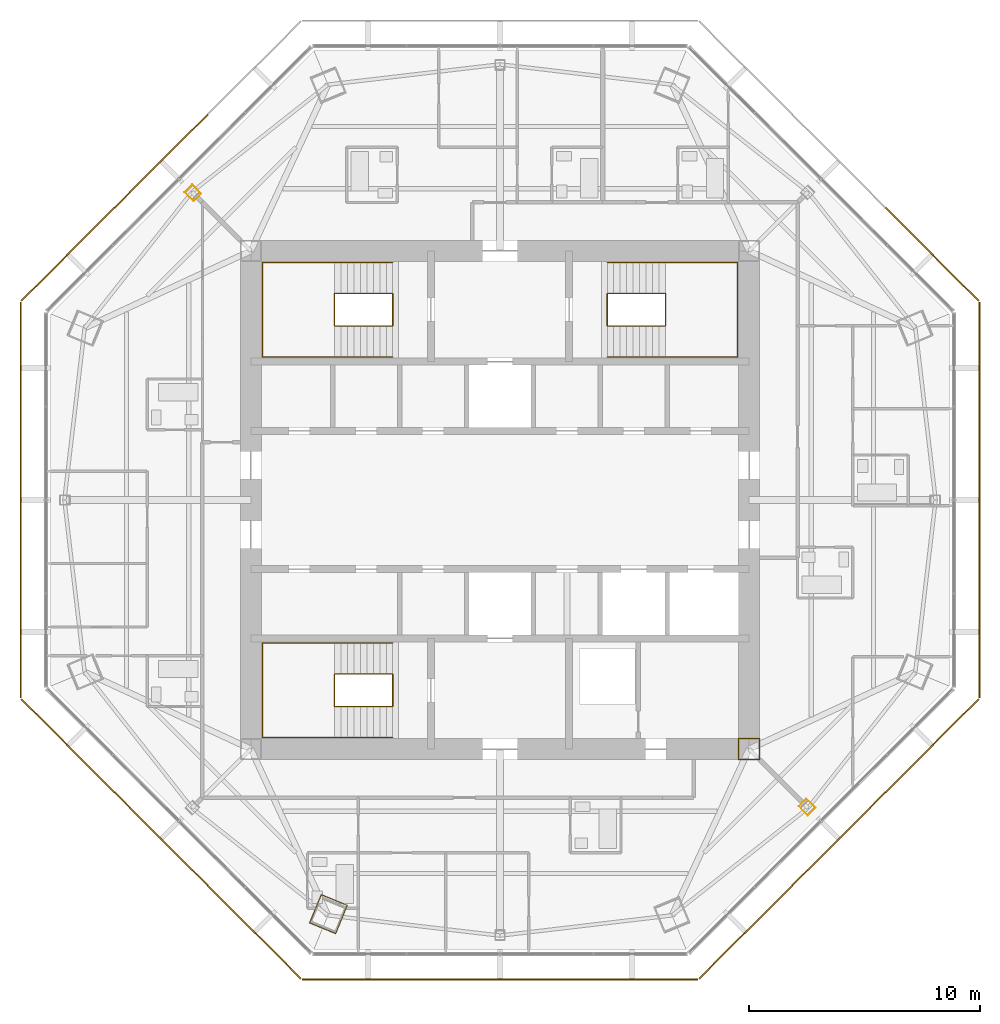
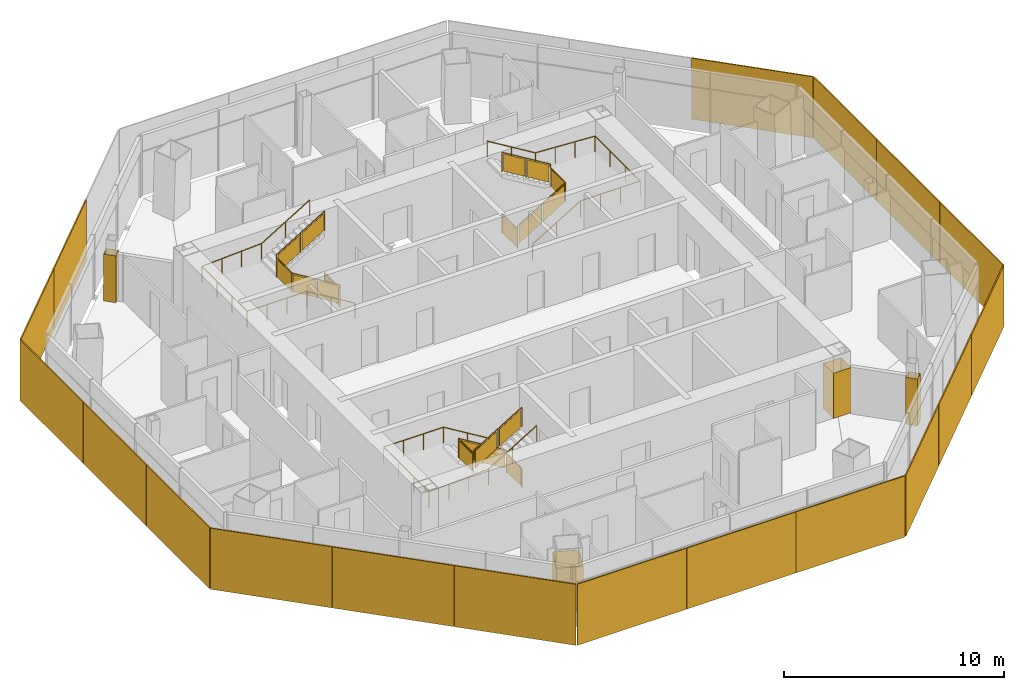
# One storey, part 13 of 15: 18 shading devices, 6 railings, 4 coverings.
"""IFC4 building model written with IfcOpenShell, lengths in metres."""

from ifc_helpers import new_model, si_unit, direction, frame, origin, origin_2d, place, context, subcontext, project, spatial, polyline, rectangle, circle, outline, extrude, source, transform, mapped, material, layer, layer_set, type_object, type_shapes, element, save


model = new_model("IFC4")

# Units and contexts
model_context = context("Model", 3, precision=1e-05, world=origin(), true_north=direction((0.0, 1.0)))
body_context = subcontext(model_context, "Body", "Model", "MODEL_VIEW")
ifc_project = project(units=[si_unit("LENGTHUNIT", "METRE"), si_unit("AREAUNIT", "SQUARE_METRE"), si_unit("VOLUMEUNIT", "CUBIC_METRE"), si_unit("PLANEANGLEUNIT", "RADIAN"), si_unit("MASSUNIT", "GRAM", prefix="KILO")], contexts=[model_context])

# Site, building, storey
site_placement = place(None, origin())
site = spatial("IfcSite", under=ifc_project, at=site_placement, CompositionType="ELEMENT")
building_placement = place(site_placement, origin())
building = spatial("IfcBuilding", under=site, at=building_placement, Name="Mashrafa Tower", CompositionType="ELEMENT")
storey_placement = place(building_placement, frame((0.0, 0.0, 294.60009765625)))
storey = spatial("IfcBuildingStorey", under=building, at=storey_placement, Name="L72", CompositionType="ELEMENT", Elevation=294.60009765625)

# Coverings
ifc_material_1 = material(Name="Gypsum board")
ifc_layer_1 = layer(ifc_material_1, 0.014892578125)
ifc_layer_set_1 = layer_set([ifc_layer_1], Name="Column casing plasterboard 15")
covering_type = type_object("IfcCoveringType", Name="Column casing plasterboard 15", PredefinedType="CLADDING", material=ifc_layer_set_1)
covering_1_placement = place(storey_placement, origin())
element("IfcCovering", 1, at=covering_1_placement, inside=storey, type_object=covering_type, Name="Column casing L72-001", PredefinedType="CLADDING", context=body_context, shape_type="SweptSolid", body=[
    extrude(outline(polyline([(-8.260498046875, -18.335693359375), (-8.215087890625, -18.225830078125), (-7.749755859375, -17.102783203125), (-6.613525390625, -17.573486328125), (-7.07861328125, -18.696533203125), (-7.124267578125, -18.806396484375), (-8.260498046875, -18.335693359375)]), holes=[polyline([(-7.092529296875, -18.690673828125), (-6.633056640625, -17.58154296875), (-7.74169921875, -17.122314453125), (-8.201171875, -18.2314453125), (-8.240966796875, -18.32763671875), (-7.13232421875, -18.786865234375), (-7.092529296875, -18.690673828125)])]), origin(), (0.0, 0.0, 1.0), 2.49658203125),
])
covering_2_placement = place(storey_placement, origin())
element("IfcCovering", 2, at=covering_2_placement, inside=storey, type_object=covering_type, Name="Column casing L72-002", PredefinedType="CLADDING", context=body_context, shape_type="SweptSolid", body=[
    extrude(outline(polyline([(-13.690185546875, 13.350830078125), (-13.350830078125, 13.690185546875), (-12.943359375, 13.28271484375), (-13.28271484375, 12.943359375), (-13.690185546875, 13.350830078125)]), holes=[polyline([(-12.964599609375, 13.28271484375), (-13.350830078125, 13.669189453125), (-13.669189453125, 13.350830078125), (-13.28271484375, 12.964599609375), (-12.964599609375, 13.28271484375)])]), origin(), (0.0, 0.0, 1.0), 2.590576171875),
])
covering_3_placement = place(storey_placement, origin())
element("IfcCovering", 3, at=covering_3_placement, inside=storey, type_object=covering_type, Name="Column casing L72-003", PredefinedType="CLADDING", context=body_context, shape_type="SweptSolid", body=[
    extrude(outline(polyline([(12.943359375, -13.28271484375), (13.28271484375, -12.943359375), (13.690185546875, -13.350830078125), (13.350830078125, -13.690185546875), (12.943359375, -13.28271484375)]), holes=[polyline([(13.669189453125, -13.350830078125), (13.28271484375, -12.964599609375), (12.964599609375, -13.28271484375), (13.350830078125, -13.669189453125), (13.669189453125, -13.350830078125)])]), origin(), (0.0, 0.0, 1.0), 2.590576171875),
])
covering_4_placement = place(storey_placement, origin())
element("IfcCovering", 4, at=covering_4_placement, inside=storey, type_object=covering_type, Name="Column casing L72-004", PredefinedType="CLADDING", context=body_context, shape_type="SweptSolid", body=[
    extrude(outline(polyline([(10.3349609375, -10.3349609375), (11.264892578125, -10.3349609375), (11.264892578125, -11.264892578125), (10.3349609375, -11.264892578125), (10.3349609375, -10.3349609375)]), holes=[polyline([(11.25, -11.25), (11.25, -10.35009765625), (10.35009765625, -10.35009765625), (10.35009765625, -11.25), (11.25, -11.25)])]), origin(), (0.0, 0.0, 1.0), 2.49658203125),
])

# Railings
ifc_material_2 = material(Name="Steel guard with glass infill", Category="steel")
railing_type_1 = type_object("IfcRailingType", Name="Stair guard 1100", PredefinedType="GUARDRAIL", material=ifc_material_2)
railing_1_placement = place(storey_placement, frame((-4.64990234375, 8.949951171875, 0.0)))
element("IfcRailing", 5, at=railing_1_placement, inside=storey, type_object=railing_type_1, Name="Stair S1 guard L72", PredefinedType="GUARDRAIL", context=body_context, shape_type="SweptSolid", body=[
    extrude(circle(Radius=0.02392578125, at=origin_2d()), frame((0.0, 0.0, 1.076171875), z_axis=(0.0, -1.0, 0.0), x_axis=(1.0, 0.0, 0.0)), (0.0, 0.0, 1.0), 1.39990234375),
    extrude(circle(Radius=0.02392578125, at=origin_2d()), frame((0.0, -1.39990234375, 1.076171875), z_axis=(0.0, 0.0, 1.0), x_axis=(1.0, 0.0, 0.0)), (0.0, 0.0, 1.0), 0.169921875),
    extrude(circle(Radius=0.02392578125, at=origin_2d()), frame((0.0, -1.39990234375, 1.24609375), z_axis=(-0.85478489116, 0.0, 0.518982456201), x_axis=(0.0, -1.0, 0.0)), (0.0, 0.0, 1.0), 2.9482421875),
    extrude(circle(Radius=0.02392578125, at=origin_2d()), frame((-2.52001953125, -1.39990234375, 2.77587890625), z_axis=(0.0, 1.0, 0.0), x_axis=(-1.0, 0.0, 0.0)), (0.0, 0.0, 1.0), 1.39990234375),
    extrude(circle(Radius=0.02392578125, at=origin_2d()), frame((-2.52001953125, 0.0, 2.77587890625), z_axis=(0.0, 0.0, 1.0), x_axis=(1.0, 0.0, 0.0)), (0.0, 0.0, 1.0), 0.169921875),
    extrude(circle(Radius=0.02392578125, at=origin_2d()), frame((-2.52001953125, 0.0, 2.94580078125), z_axis=(0.85478489116, 0.0, 0.518982456201), x_axis=(0.0, 1.0, 0.0)), (0.0, 0.0, 1.0), 2.9482421875),
    extrude(circle(Radius=0.02099609375, at=origin_2d()), origin(), (0.0, 0.0, 1.0), 1.052001953125),
    extrude(circle(Radius=0.02099609375, at=origin_2d()), frame((0.0, -1.39990234375, 0.0)), (0.0, 0.0, 1.0), 1.052001953125),
    extrude(circle(Radius=0.02099609375, at=origin_2d()), frame((0.0, -1.39990234375, 0.169921875)), (0.0, 0.0, 1.0), 1.052001953125),
    extrude(circle(Radius=0.02099609375, at=origin_2d()), frame((-1.260009765625, -1.39990234375, 0.93505859375)), (0.0, 0.0, 1.0), 1.052001953125),
    extrude(circle(Radius=0.02099609375, at=origin_2d()), frame((-2.52001953125, -1.39990234375, 1.699951171875)), (0.0, 0.0, 1.0), 1.052001953125),
    extrude(circle(Radius=0.02099609375, at=origin_2d()), frame((-2.52001953125, 0.0, 1.699951171875)), (0.0, 0.0, 1.0), 1.052001953125),
    extrude(circle(Radius=0.02099609375, at=origin_2d()), frame((-2.52001953125, 0.0, 1.869873046875)), (0.0, 0.0, 1.0), 1.052001953125),
    extrude(circle(Radius=0.02099609375, at=origin_2d()), frame((-1.260009765625, 0.0, 2.634765625)), (0.0, 0.0, 1.0), 1.052001953125),
    extrude(circle(Radius=0.02099609375, at=origin_2d()), frame((0.0, 0.0, 3.39990234375)), (0.0, 0.0, 1.0), 1.052001953125),
    extrude(outline(polyline([(0.071044921875, 0.050048828125), (1.328857421875, 0.050048828125), (1.328857421875, 1.001953125), (0.071044921875, 1.001953125), (0.071044921875, 0.050048828125)])), frame((-0.006103515625, 0.0, 0.0), z_axis=(-1.0, 0.0, 0.0), x_axis=(0.0, -1.0, 0.0)), (0.0, 0.0, 1.0), 0.011962890625),
    extrude(outline(polyline([(0.071044921875, 0.093017578125), (1.18896484375, 0.77197265625), (1.18896484375, 1.723876953125), (0.071044921875, 1.045166015625), (0.071044921875, 0.093017578125)])), frame((0.0, -1.393798828125, 0.169921875), z_axis=(0.0, 1.0, 0.0), x_axis=(-1.0, 0.0, 0.0)), (0.0, 0.0, 1.0), 0.011962890625),
    extrude(outline(polyline([(1.3310546875, 0.858154296875), (2.448974609375, 1.536865234375), (2.448974609375, 2.489013671875), (1.3310546875, 1.81005859375), (1.3310546875, 0.858154296875)])), frame((0.0, -1.393798828125, 0.169921875), z_axis=(0.0, 1.0, 0.0), x_axis=(-1.0, 0.0, 0.0)), (0.0, 0.0, 1.0), 0.011962890625),
    extrude(outline(polyline([(0.071044921875, 0.050048828125), (1.328857421875, 0.050048828125), (1.328857421875, 1.001953125), (0.071044921875, 1.001953125), (0.071044921875, 0.050048828125)])), frame((-2.513916015625, -1.39990234375, 1.699951171875), z_axis=(1.0, 0.0, 0.0), x_axis=(0.0, 1.0, 0.0)), (0.0, 0.0, 1.0), 0.011962890625),
    extrude(outline(polyline([(0.071044921875, 0.093017578125), (1.18896484375, 0.77197265625), (1.18896484375, 1.723876953125), (0.071044921875, 1.045166015625), (0.071044921875, 0.093017578125)])), frame((-2.52001953125, -0.006103515625, 1.869873046875), z_axis=(0.0, -1.0, 0.0), x_axis=(1.0, 0.0, 0.0)), (0.0, 0.0, 1.0), 0.011962890625),
    extrude(outline(polyline([(1.3310546875, 0.858154296875), (2.448974609375, 1.536865234375), (2.448974609375, 2.489013671875), (1.3310546875, 1.81005859375), (1.3310546875, 0.858154296875)])), frame((-2.52001953125, -0.006103515625, 1.869873046875), z_axis=(0.0, -1.0, 0.0), x_axis=(1.0, 0.0, 0.0)), (0.0, 0.0, 1.0), 0.011962890625),
])
railing_2_placement = place(storey_placement, frame((4.64990234375, 8.949951171875, 0.0)))
element("IfcRailing", 6, at=railing_2_placement, inside=storey, type_object=railing_type_1, Name="Stair S2 guard L72", PredefinedType="GUARDRAIL", context=body_context, shape_type="SweptSolid", body=[
    extrude(circle(Radius=0.02392578125, at=origin_2d()), frame((0.0, 0.0, 1.076171875), z_axis=(0.0, -1.0, 0.0), x_axis=(1.0, 0.0, 0.0)), (0.0, 0.0, 1.0), 1.39990234375),
    extrude(circle(Radius=0.02392578125, at=origin_2d()), frame((0.0, -1.39990234375, 1.076171875), z_axis=(0.0, 0.0, 1.0), x_axis=(1.0, 0.0, 0.0)), (0.0, 0.0, 1.0), 0.169921875),
    extrude(circle(Radius=0.02392578125, at=origin_2d()), frame((0.0, -1.39990234375, 1.24609375), z_axis=(0.85478489116, 0.0, 0.518982456201), x_axis=(0.0, 1.0, 0.0)), (0.0, 0.0, 1.0), 2.9482421875),
    extrude(circle(Radius=0.02392578125, at=origin_2d()), frame((2.52001953125, -1.39990234375, 2.77587890625), z_axis=(0.0, 1.0, 0.0), x_axis=(-1.0, 0.0, 0.0)), (0.0, 0.0, 1.0), 1.39990234375),
    extrude(circle(Radius=0.02392578125, at=origin_2d()), frame((2.52001953125, 0.0, 2.77587890625), z_axis=(0.0, 0.0, 1.0), x_axis=(1.0, 0.0, 0.0)), (0.0, 0.0, 1.0), 0.169921875),
    extrude(circle(Radius=0.02392578125, at=origin_2d()), frame((2.52001953125, 0.0, 2.94580078125), z_axis=(-0.85478489116, 0.0, 0.518982456201), x_axis=(0.0, -1.0, 0.0)), (0.0, 0.0, 1.0), 2.9482421875),
    extrude(circle(Radius=0.02099609375, at=origin_2d()), origin(), (0.0, 0.0, 1.0), 1.052001953125),
    extrude(circle(Radius=0.02099609375, at=origin_2d()), frame((0.0, -1.39990234375, 0.0)), (0.0, 0.0, 1.0), 1.052001953125),
    extrude(circle(Radius=0.02099609375, at=origin_2d()), frame((0.0, -1.39990234375, 0.169921875)), (0.0, 0.0, 1.0), 1.052001953125),
    extrude(circle(Radius=0.02099609375, at=origin_2d()), frame((1.260009765625, -1.39990234375, 0.93505859375)), (0.0, 0.0, 1.0), 1.052001953125),
    extrude(circle(Radius=0.02099609375, at=origin_2d()), frame((2.52001953125, -1.39990234375, 1.699951171875)), (0.0, 0.0, 1.0), 1.052001953125),
    extrude(circle(Radius=0.02099609375, at=origin_2d()), frame((2.52001953125, 0.0, 1.699951171875)), (0.0, 0.0, 1.0), 1.052001953125),
    extrude(circle(Radius=0.02099609375, at=origin_2d()), frame((2.52001953125, 0.0, 1.869873046875)), (0.0, 0.0, 1.0), 1.052001953125),
    extrude(circle(Radius=0.02099609375, at=origin_2d()), frame((1.260009765625, 0.0, 2.634765625)), (0.0, 0.0, 1.0), 1.052001953125),
    extrude(circle(Radius=0.02099609375, at=origin_2d()), frame((0.0, 0.0, 3.39990234375)), (0.0, 0.0, 1.0), 1.052001953125),
    extrude(outline(polyline([(0.071044921875, 0.050048828125), (1.328857421875, 0.050048828125), (1.328857421875, 1.001953125), (0.071044921875, 1.001953125), (0.071044921875, 0.050048828125)])), frame((-0.006103515625, 0.0, 0.0), z_axis=(-1.0, 0.0, 0.0), x_axis=(0.0, -1.0, 0.0)), (0.0, 0.0, 1.0), 0.011962890625),
    extrude(outline(polyline([(0.071044921875, 0.093017578125), (1.18896484375, 0.77197265625), (1.18896484375, 1.723876953125), (0.071044921875, 1.045166015625), (0.071044921875, 0.093017578125)])), frame((0.0, -1.406005859375, 0.169921875), z_axis=(0.0, -1.0, 0.0), x_axis=(1.0, 0.0, 0.0)), (0.0, 0.0, 1.0), 0.011962890625),
    extrude(outline(polyline([(1.3310546875, 0.858154296875), (2.448974609375, 1.536865234375), (2.448974609375, 2.489013671875), (1.3310546875, 1.81005859375), (1.3310546875, 0.858154296875)])), frame((0.0, -1.406005859375, 0.169921875), z_axis=(0.0, -1.0, 0.0), x_axis=(1.0, 0.0, 0.0)), (0.0, 0.0, 1.0), 0.011962890625),
    extrude(outline(polyline([(0.071044921875, 0.050048828125), (1.328857421875, 0.050048828125), (1.328857421875, 1.001953125), (0.071044921875, 1.001953125), (0.071044921875, 0.050048828125)])), frame((2.526123046875, -1.39990234375, 1.699951171875), z_axis=(1.0, 0.0, 0.0), x_axis=(0.0, 1.0, 0.0)), (0.0, 0.0, 1.0), 0.011962890625),
    extrude(outline(polyline([(0.071044921875, 0.093017578125), (1.18896484375, 0.77197265625), (1.18896484375, 1.723876953125), (0.071044921875, 1.045166015625), (0.071044921875, 0.093017578125)])), frame((2.52001953125, 0.006103515625, 1.869873046875), z_axis=(0.0, 1.0, 0.0), x_axis=(-1.0, 0.0, 0.0)), (0.0, 0.0, 1.0), 0.011962890625),
    extrude(outline(polyline([(1.3310546875, 0.858154296875), (2.448974609375, 1.536865234375), (2.448974609375, 2.489013671875), (1.3310546875, 1.81005859375), (1.3310546875, 0.858154296875)])), frame((2.52001953125, 0.006103515625, 1.869873046875), z_axis=(0.0, 1.0, 0.0), x_axis=(-1.0, 0.0, 0.0)), (0.0, 0.0, 1.0), 0.011962890625),
])
railing_3_placement = place(storey_placement, frame((-4.64990234375, -8.949951171875, 0.0)))
element("IfcRailing", 7, at=railing_3_placement, inside=storey, type_object=railing_type_1, Name="Stair S3 guard L72", PredefinedType="GUARDRAIL", context=body_context, shape_type="SweptSolid", body=[
    extrude(circle(Radius=0.02392578125, at=origin_2d()), frame((0.0, 0.0, 1.076171875), z_axis=(0.0, 1.0, 0.0), x_axis=(-1.0, 0.0, 0.0)), (0.0, 0.0, 1.0), 1.39990234375),
    extrude(circle(Radius=0.02392578125, at=origin_2d()), frame((0.0, 1.39990234375, 1.076171875), z_axis=(0.0, 0.0, 1.0), x_axis=(1.0, 0.0, 0.0)), (0.0, 0.0, 1.0), 0.169921875),
    extrude(circle(Radius=0.02392578125, at=origin_2d()), frame((0.0, 1.39990234375, 1.24609375), z_axis=(-0.85478489116, 0.0, 0.518982456201), x_axis=(0.0, -1.0, 0.0)), (0.0, 0.0, 1.0), 2.9482421875),
    extrude(circle(Radius=0.02392578125, at=origin_2d()), frame((-2.52001953125, 1.39990234375, 2.77587890625), z_axis=(0.0, -1.0, 0.0), x_axis=(1.0, 0.0, 0.0)), (0.0, 0.0, 1.0), 1.39990234375),
    extrude(circle(Radius=0.02392578125, at=origin_2d()), frame((-2.52001953125, 0.0, 2.77587890625), z_axis=(0.0, 0.0, 1.0), x_axis=(1.0, 0.0, 0.0)), (0.0, 0.0, 1.0), 0.169921875),
    extrude(circle(Radius=0.02392578125, at=origin_2d()), frame((-2.52001953125, 0.0, 2.94580078125), z_axis=(0.85478489116, 0.0, 0.518982456201), x_axis=(0.0, 1.0, 0.0)), (0.0, 0.0, 1.0), 2.9482421875),
    extrude(circle(Radius=0.02099609375, at=origin_2d()), origin(), (0.0, 0.0, 1.0), 1.052001953125),
    extrude(circle(Radius=0.02099609375, at=origin_2d()), frame((0.0, 1.39990234375, 0.0)), (0.0, 0.0, 1.0), 1.052001953125),
    extrude(circle(Radius=0.02099609375, at=origin_2d()), frame((0.0, 1.39990234375, 0.169921875)), (0.0, 0.0, 1.0), 1.052001953125),
    extrude(circle(Radius=0.02099609375, at=origin_2d()), frame((-1.260009765625, 1.39990234375, 0.93505859375)), (0.0, 0.0, 1.0), 1.052001953125),
    extrude(circle(Radius=0.02099609375, at=origin_2d()), frame((-2.52001953125, 1.39990234375, 1.699951171875)), (0.0, 0.0, 1.0), 1.052001953125),
    extrude(circle(Radius=0.02099609375, at=origin_2d()), frame((-2.52001953125, 0.0, 1.699951171875)), (0.0, 0.0, 1.0), 1.052001953125),
    extrude(circle(Radius=0.02099609375, at=origin_2d()), frame((-2.52001953125, 0.0, 1.869873046875)), (0.0, 0.0, 1.0), 1.052001953125),
    extrude(circle(Radius=0.02099609375, at=origin_2d()), frame((-1.260009765625, 0.0, 2.634765625)), (0.0, 0.0, 1.0), 1.052001953125),
    extrude(circle(Radius=0.02099609375, at=origin_2d()), frame((0.0, 0.0, 3.39990234375)), (0.0, 0.0, 1.0), 1.052001953125),
    extrude(outline(polyline([(0.071044921875, 0.050048828125), (1.328857421875, 0.050048828125), (1.328857421875, 1.001953125), (0.071044921875, 1.001953125), (0.071044921875, 0.050048828125)])), frame((0.006103515625, 0.0, 0.0), z_axis=(1.0, 0.0, 0.0), x_axis=(0.0, 1.0, 0.0)), (0.0, 0.0, 1.0), 0.011962890625),
    extrude(outline(polyline([(0.071044921875, 0.093017578125), (1.18896484375, 0.77197265625), (1.18896484375, 1.723876953125), (0.071044921875, 1.045166015625), (0.071044921875, 0.093017578125)])), frame((0.0, 1.406005859375, 0.169921875), z_axis=(0.0, 1.0, 0.0), x_axis=(-1.0, 0.0, 0.0)), (0.0, 0.0, 1.0), 0.011962890625),
    extrude(outline(polyline([(1.3310546875, 0.858154296875), (2.448974609375, 1.536865234375), (2.448974609375, 2.489013671875), (1.3310546875, 1.81005859375), (1.3310546875, 0.858154296875)])), frame((0.0, 1.406005859375, 0.169921875), z_axis=(0.0, 1.0, 0.0), x_axis=(-1.0, 0.0, 0.0)), (0.0, 0.0, 1.0), 0.011962890625),
    extrude(outline(polyline([(0.071044921875, 0.050048828125), (1.328857421875, 0.050048828125), (1.328857421875, 1.001953125), (0.071044921875, 1.001953125), (0.071044921875, 0.050048828125)])), frame((-2.526123046875, 1.39990234375, 1.699951171875), z_axis=(-1.0, 0.0, 0.0), x_axis=(0.0, -1.0, 0.0)), (0.0, 0.0, 1.0), 0.011962890625),
    extrude(outline(polyline([(0.071044921875, 0.093017578125), (1.18896484375, 0.77197265625), (1.18896484375, 1.723876953125), (0.071044921875, 1.045166015625), (0.071044921875, 0.093017578125)])), frame((-2.52001953125, -0.006103515625, 1.869873046875), z_axis=(0.0, -1.0, 0.0), x_axis=(1.0, 0.0, 0.0)), (0.0, 0.0, 1.0), 0.011962890625),
    extrude(outline(polyline([(1.3310546875, 0.858154296875), (2.448974609375, 1.536865234375), (2.448974609375, 2.489013671875), (1.3310546875, 1.81005859375), (1.3310546875, 0.858154296875)])), frame((-2.52001953125, -0.006103515625, 1.869873046875), z_axis=(0.0, -1.0, 0.0), x_axis=(1.0, 0.0, 0.0)), (0.0, 0.0, 1.0), 0.011962890625),
])
ifc_material_3 = material(Name="Steel", Category="steel")
railing_type_2 = type_object("IfcRailingType", Name="Stair handrail 900", PredefinedType="HANDRAIL", material=ifc_material_3)
railing_4_placement = place(storey_placement, frame((-4.64990234375, 6.199951171875, 0.169921875)))
element("IfcRailing", 8, at=railing_4_placement, inside=storey, type_object=railing_type_2, Name="Stair S1 handrail L72", PredefinedType="HANDRAIL", context=body_context, shape_type="SweptSolid", body=[
    extrude(circle(Radius=0.02392578125, at=origin_2d()), frame((0.0, 0.0, 0.8759765625), z_axis=(-0.85478489116, 0.0, 0.518982456201), x_axis=(0.0, -1.0, 0.0)), (0.0, 0.0, 1.0), 2.9482421875),
    extrude(circle(Radius=0.02392578125, at=origin_2d()), frame((-2.52001953125, 0.0, 2.40576171875), z_axis=(-1.0, 0.0, 0.0), x_axis=(0.0, -1.0, 0.0)), (0.0, 0.0, 1.0), 3.130126953125),
    extrude(circle(Radius=0.02392578125, at=origin_2d()), frame((-5.650146484375, 0.0, 2.40576171875), z_axis=(0.0, 1.0, 0.0), x_axis=(-1.0, 0.0, 0.0)), (0.0, 0.0, 1.0), 4.10009765625),
    extrude(circle(Radius=0.02392578125, at=origin_2d()), frame((-5.650146484375, 4.10009765625, 2.40576171875), z_axis=(0.998529767259, 0.0, 0.054206124172), x_axis=(0.0, 1.0, 0.0)), (0.0, 0.0, 1.0), 3.134765625),
    extrude(circle(Radius=0.02392578125, at=origin_2d()), frame((-2.52001953125, 4.10009765625, 2.57568359375), z_axis=(0.85478489116, 0.0, 0.518982456201), x_axis=(0.0, 1.0, 0.0)), (0.0, 0.0, 1.0), 2.9482421875),
    extrude(circle(Radius=0.02099609375, at=origin_2d()), origin(), (0.0, 0.0, 1.0), 0.851806640625),
    extrude(circle(Radius=0.02099609375, at=origin_2d()), frame((-1.260009765625, 0.0, 0.76513671875)), (0.0, 0.0, 1.0), 0.851806640625),
    extrude(circle(Radius=0.02099609375, at=origin_2d()), frame((-2.52001953125, 0.0, 1.530029296875)), (0.0, 0.0, 1.0), 0.851806640625),
    extrude(circle(Radius=0.02099609375, at=origin_2d()), frame((-3.5634765625, 0.0, 1.530029296875)), (0.0, 0.0, 1.0), 0.851806640625),
    extrude(circle(Radius=0.02099609375, at=origin_2d()), frame((-4.606689453125, 0.0, 1.530029296875)), (0.0, 0.0, 1.0), 0.851806640625),
    extrude(circle(Radius=0.02099609375, at=origin_2d()), frame((-5.650146484375, 0.0, 1.530029296875)), (0.0, 0.0, 1.0), 0.851806640625),
    extrude(circle(Radius=0.02099609375, at=origin_2d()), frame((-5.650146484375, 1.36669921875, 1.530029296875)), (0.0, 0.0, 1.0), 0.851806640625),
    extrude(circle(Radius=0.02099609375, at=origin_2d()), frame((-5.650146484375, 2.7333984375, 1.530029296875)), (0.0, 0.0, 1.0), 0.851806640625),
    extrude(circle(Radius=0.02099609375, at=origin_2d()), frame((-5.650146484375, 4.10009765625, 1.530029296875)), (0.0, 0.0, 1.0), 0.851806640625),
    extrude(circle(Radius=0.02099609375, at=origin_2d()), frame((-4.606689453125, 4.10009765625, 1.586669921875)), (0.0, 0.0, 1.0), 0.851806640625),
    extrude(circle(Radius=0.02099609375, at=origin_2d()), frame((-3.5634765625, 4.10009765625, 1.643310546875)), (0.0, 0.0, 1.0), 0.851806640625),
    extrude(circle(Radius=0.02099609375, at=origin_2d()), frame((-2.52001953125, 4.10009765625, 1.699951171875)), (0.0, 0.0, 1.0), 0.851806640625),
    extrude(circle(Radius=0.02099609375, at=origin_2d()), frame((-1.260009765625, 4.10009765625, 2.46484375)), (0.0, 0.0, 1.0), 0.851806640625),
    extrude(circle(Radius=0.02099609375, at=origin_2d()), frame((0.0, 4.10009765625, 3.22998046875)), (0.0, 0.0, 1.0), 0.851806640625),
])
railing_5_placement = place(storey_placement, frame((4.64990234375, 6.199951171875, 0.169921875)))
element("IfcRailing", 9, at=railing_5_placement, inside=storey, type_object=railing_type_2, Name="Stair S2 handrail L72", PredefinedType="HANDRAIL", context=body_context, shape_type="SweptSolid", body=[
    extrude(circle(Radius=0.02392578125, at=origin_2d()), frame((0.0, 0.0, 0.8759765625), z_axis=(0.85478489116, 0.0, 0.518982456201), x_axis=(0.0, 1.0, 0.0)), (0.0, 0.0, 1.0), 2.9482421875),
    extrude(circle(Radius=0.02392578125, at=origin_2d()), frame((2.52001953125, 0.0, 2.40576171875), z_axis=(1.0, 0.0, 0.0), x_axis=(0.0, 1.0, 0.0)), (0.0, 0.0, 1.0), 3.130126953125),
    extrude(circle(Radius=0.02392578125, at=origin_2d()), frame((5.650146484375, 0.0, 2.40576171875), z_axis=(0.0, 1.0, 0.0), x_axis=(-1.0, 0.0, 0.0)), (0.0, 0.0, 1.0), 4.10009765625),
    extrude(circle(Radius=0.02392578125, at=origin_2d()), frame((5.650146484375, 4.10009765625, 2.40576171875), z_axis=(-0.998529767259, 0.0, 0.054206124172), x_axis=(0.0, -1.0, 0.0)), (0.0, 0.0, 1.0), 3.134765625),
    extrude(circle(Radius=0.02392578125, at=origin_2d()), frame((2.52001953125, 4.10009765625, 2.57568359375), z_axis=(-0.85478489116, 0.0, 0.518982456201), x_axis=(0.0, -1.0, 0.0)), (0.0, 0.0, 1.0), 2.9482421875),
    extrude(circle(Radius=0.02099609375, at=origin_2d()), origin(), (0.0, 0.0, 1.0), 0.851806640625),
    extrude(circle(Radius=0.02099609375, at=origin_2d()), frame((1.260009765625, 0.0, 0.76513671875)), (0.0, 0.0, 1.0), 0.851806640625),
    extrude(circle(Radius=0.02099609375, at=origin_2d()), frame((2.52001953125, 0.0, 1.530029296875)), (0.0, 0.0, 1.0), 0.851806640625),
    extrude(circle(Radius=0.02099609375, at=origin_2d()), frame((3.5634765625, 0.0, 1.530029296875)), (0.0, 0.0, 1.0), 0.851806640625),
    extrude(circle(Radius=0.02099609375, at=origin_2d()), frame((4.606689453125, 0.0, 1.530029296875)), (0.0, 0.0, 1.0), 0.851806640625),
    extrude(circle(Radius=0.02099609375, at=origin_2d()), frame((5.650146484375, 0.0, 1.530029296875)), (0.0, 0.0, 1.0), 0.851806640625),
    extrude(circle(Radius=0.02099609375, at=origin_2d()), frame((5.650146484375, 1.36669921875, 1.530029296875)), (0.0, 0.0, 1.0), 0.851806640625),
    extrude(circle(Radius=0.02099609375, at=origin_2d()), frame((5.650146484375, 2.7333984375, 1.530029296875)), (0.0, 0.0, 1.0), 0.851806640625),
    extrude(circle(Radius=0.02099609375, at=origin_2d()), frame((5.650146484375, 4.10009765625, 1.530029296875)), (0.0, 0.0, 1.0), 0.851806640625),
    extrude(circle(Radius=0.02099609375, at=origin_2d()), frame((4.606689453125, 4.10009765625, 1.586669921875)), (0.0, 0.0, 1.0), 0.851806640625),
    extrude(circle(Radius=0.02099609375, at=origin_2d()), frame((3.5634765625, 4.10009765625, 1.643310546875)), (0.0, 0.0, 1.0), 0.851806640625),
    extrude(circle(Radius=0.02099609375, at=origin_2d()), frame((2.52001953125, 4.10009765625, 1.699951171875)), (0.0, 0.0, 1.0), 0.851806640625),
    extrude(circle(Radius=0.02099609375, at=origin_2d()), frame((1.260009765625, 4.10009765625, 2.46484375)), (0.0, 0.0, 1.0), 0.851806640625),
    extrude(circle(Radius=0.02099609375, at=origin_2d()), frame((0.0, 4.10009765625, 3.22998046875)), (0.0, 0.0, 1.0), 0.851806640625),
])
railing_6_placement = place(storey_placement, frame((-4.64990234375, -6.199951171875, 0.169921875)))
element("IfcRailing", 10, at=railing_6_placement, inside=storey, type_object=railing_type_2, Name="Stair S3 handrail L72", PredefinedType="HANDRAIL", context=body_context, shape_type="SweptSolid", body=[
    extrude(circle(Radius=0.02392578125, at=origin_2d()), frame((0.0, 0.0, 0.8759765625), z_axis=(-0.85478489116, 0.0, 0.518982456201), x_axis=(0.0, -1.0, 0.0)), (0.0, 0.0, 1.0), 2.9482421875),
    extrude(circle(Radius=0.02392578125, at=origin_2d()), frame((-2.52001953125, 0.0, 2.40576171875), z_axis=(-1.0, 0.0, 0.0), x_axis=(0.0, -1.0, 0.0)), (0.0, 0.0, 1.0), 3.130126953125),
    extrude(circle(Radius=0.02392578125, at=origin_2d()), frame((-5.650146484375, 0.0, 2.40576171875), z_axis=(0.0, -1.0, 0.0), x_axis=(1.0, 0.0, 0.0)), (0.0, 0.0, 1.0), 4.10009765625),
    extrude(circle(Radius=0.02392578125, at=origin_2d()), frame((-5.650146484375, -4.10009765625, 2.40576171875), z_axis=(0.998529767259, 0.0, 0.054206124172), x_axis=(0.0, 1.0, 0.0)), (0.0, 0.0, 1.0), 3.134765625),
    extrude(circle(Radius=0.02392578125, at=origin_2d()), frame((-2.52001953125, -4.10009765625, 2.57568359375), z_axis=(0.85478489116, 0.0, 0.518982456201), x_axis=(0.0, 1.0, 0.0)), (0.0, 0.0, 1.0), 2.9482421875),
    extrude(circle(Radius=0.02099609375, at=origin_2d()), origin(), (0.0, 0.0, 1.0), 0.851806640625),
    extrude(circle(Radius=0.02099609375, at=origin_2d()), frame((-1.260009765625, 0.0, 0.76513671875)), (0.0, 0.0, 1.0), 0.851806640625),
    extrude(circle(Radius=0.02099609375, at=origin_2d()), frame((-2.52001953125, 0.0, 1.530029296875)), (0.0, 0.0, 1.0), 0.851806640625),
    extrude(circle(Radius=0.02099609375, at=origin_2d()), frame((-3.5634765625, 0.0, 1.530029296875)), (0.0, 0.0, 1.0), 0.851806640625),
    extrude(circle(Radius=0.02099609375, at=origin_2d()), frame((-4.606689453125, 0.0, 1.530029296875)), (0.0, 0.0, 1.0), 0.851806640625),
    extrude(circle(Radius=0.02099609375, at=origin_2d()), frame((-5.650146484375, 0.0, 1.530029296875)), (0.0, 0.0, 1.0), 0.851806640625),
    extrude(circle(Radius=0.02099609375, at=origin_2d()), frame((-5.650146484375, -1.36669921875, 1.530029296875)), (0.0, 0.0, 1.0), 0.851806640625),
    extrude(circle(Radius=0.02099609375, at=origin_2d()), frame((-5.650146484375, -2.7333984375, 1.530029296875)), (0.0, 0.0, 1.0), 0.851806640625),
    extrude(circle(Radius=0.02099609375, at=origin_2d()), frame((-5.650146484375, -4.10009765625, 1.530029296875)), (0.0, 0.0, 1.0), 0.851806640625),
    extrude(circle(Radius=0.02099609375, at=origin_2d()), frame((-4.606689453125, -4.10009765625, 1.586669921875)), (0.0, 0.0, 1.0), 0.851806640625),
    extrude(circle(Radius=0.02099609375, at=origin_2d()), frame((-3.5634765625, -4.10009765625, 1.643310546875)), (0.0, 0.0, 1.0), 0.851806640625),
    extrude(circle(Radius=0.02099609375, at=origin_2d()), frame((-2.52001953125, -4.10009765625, 1.699951171875)), (0.0, 0.0, 1.0), 0.851806640625),
    extrude(circle(Radius=0.02099609375, at=origin_2d()), frame((-1.260009765625, -4.10009765625, 2.46484375)), (0.0, 0.0, 1.0), 0.851806640625),
    extrude(circle(Radius=0.02099609375, at=origin_2d()), frame((0.0, -4.10009765625, 3.22998046875)), (0.0, 0.0, 1.0), 0.851806640625),
])

# Shading devices
ifc_material_4 = material(Name="Perforated aluminium plate, eight-point star pattern", Category="aluminium")
ifc_layer_2 = layer(ifc_material_4, 0.06005859375)
ifc_layer_set_2 = layer_set([ifc_layer_2], Name="Mashrabiya screen panel apartment zone 4, 22 percent open")
shading_device_type = type_object("IfcShadingDeviceType", Name="Mashrabiya screen panel apartment zone 4, 22 percent open", PredefinedType="SHUTTER", material=ifc_layer_set_2)
shared_shape = source(origin(), body_context, "Body", "SweptSolid", [
    extrude(rectangle(XDim=5.70361328125, YDim=0.06005859375, at=origin_2d()), origin(), (0.0, 0.0, 1.0), 3.3798828125),
])
type_shapes(shading_device_type, [shared_shape])
for number, where, z_axis, x_axis, name in (
    (11, (20.781005859375, -5.7236328125, -0.150146484375), (0.0, 0.0, 1.0), (0.0, 1.0, 0.0), "Mashrabiya screen L72 east 1"),
    (12, (20.781005859375, 0.0, -0.150146484375), (0.0, 0.0, 1.0), (0.0, 1.0, 0.0), "Mashrabiya screen L72 east 2"),
    (13, (20.781005859375, 5.7236328125, -0.150146484375), (0.0, 0.0, 1.0), (0.0, 1.0, 0.0), "Mashrabiya screen L72 east 3"),
    (14, (18.741455078125, 10.647216796875, -0.150146484375), (0.0, 0.0, 1.0), (-0.707106781187, 0.707106781187, 0.0), "Mashrabiya screen L72 north-east 1"),
    (15, (-14.6943359375, 14.6943359375, -0.150146484375), (0.0, 0.0, 1.0), (-0.707106781187, -0.707106781187, 0.0), "Mashrabiya screen L72 north-west 2"),
    (16, (-18.741455078125, 10.647216796875, -0.150146484375), (0.0, 0.0, 1.0), (-0.707106781187, -0.707106781187, 0.0), "Mashrabiya screen L72 north-west 3"),
    (17, (-20.781005859375, 5.7236328125, -0.150146484375), (0.0, 0.0, 1.0), (0.0, -1.0, 0.0), "Mashrabiya screen L72 west 1"),
    (18, (-20.781005859375, 0.0, -0.150146484375), (0.0, 0.0, 1.0), (0.0, -1.0, 0.0), "Mashrabiya screen L72 west 2"),
    (19, (-20.781005859375, -5.7236328125, -0.150146484375), (0.0, 0.0, 1.0), (0.0, -1.0, 0.0), "Mashrabiya screen L72 west 3"),
    (20, (-18.741455078125, -10.647216796875, -0.150146484375), (0.0, 0.0, 1.0), (0.707106781187, -0.707106781187, 0.0), "Mashrabiya screen L72 south-west 1"),
    (21, (-14.6943359375, -14.6943359375, -0.150146484375), (0.0, 0.0, 1.0), (0.707106781187, -0.707106781187, 0.0), "Mashrabiya screen L72 south-west 2"),
    (22, (-10.647216796875, -18.741455078125, -0.150146484375), (0.0, 0.0, 1.0), (0.707106781187, -0.707106781187, 0.0), "Mashrabiya screen L72 south-west 3"),
    (23, (-5.7236328125, -20.781005859375, -0.150146484375), (0.0, 0.0, 1.0), (1.0, 0.0, 0.0), "Mashrabiya screen L72 south 1"),
    (24, (0.0, -20.781005859375, -0.150146484375), (0.0, 0.0, 1.0), (1.0, 0.0, 0.0), "Mashrabiya screen L72 south 2"),
    (25, (5.7236328125, -20.781005859375, -0.150146484375), (0.0, 0.0, 1.0), (1.0, 0.0, 0.0), "Mashrabiya screen L72 south 3"),
    (26, (10.647216796875, -18.741455078125, -0.150146484375), (0.0, 0.0, 1.0), (0.707106781187, 0.707106781187, 0.0), "Mashrabiya screen L72 south-east 1"),
    (27, (14.6943359375, -14.6943359375, -0.150146484375), (0.0, 0.0, 1.0), (0.707106781187, 0.707106781187, 0.0), "Mashrabiya screen L72 south-east 2"),
    (28, (18.741455078125, -10.647216796875, -0.150146484375), (0.0, 0.0, 1.0), (0.707106781187, 0.707106781187, 0.0), "Mashrabiya screen L72 south-east 3"),
):
    element("IfcShadingDevice", number, at=place(storey_placement, frame(where, z_axis=z_axis, x_axis=x_axis)), inside=storey, type_object=shading_device_type, Name=name, PredefinedType="SHUTTER", context=body_context, shape_type="MappedRepresentation", body=[
        mapped(shared_shape, transform((0.0, 0.0, 0.0))),
    ])

save(model, "model.ifc")
